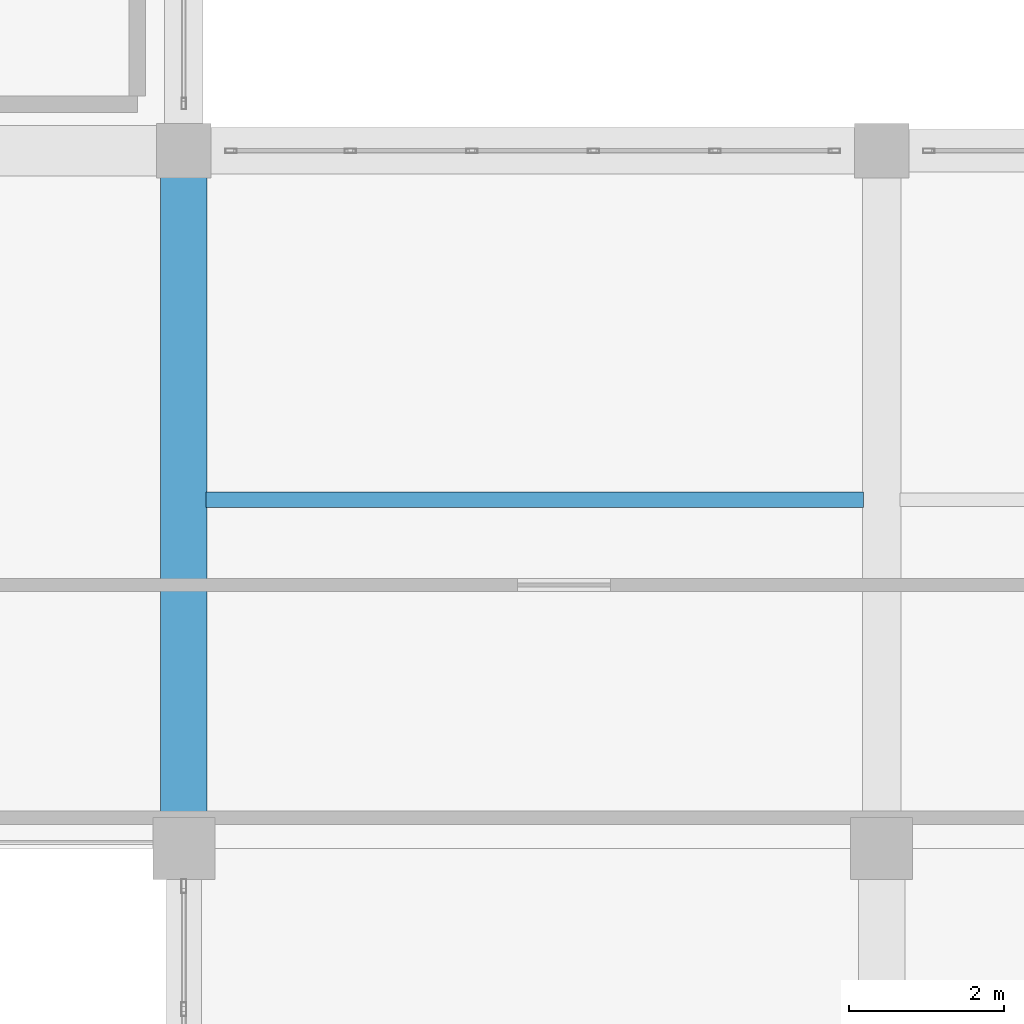
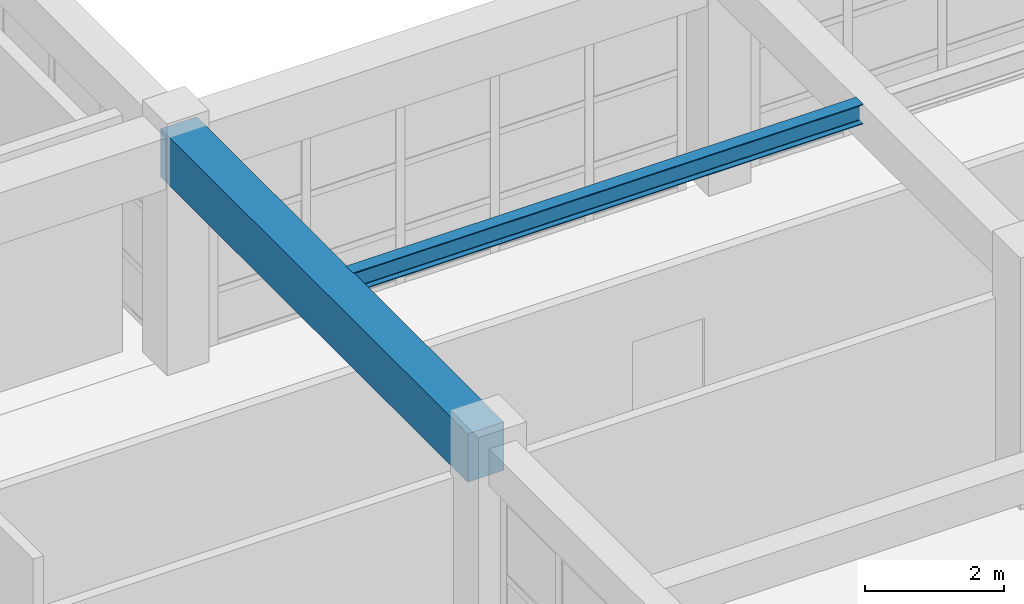
# One storey, part 49 of 133: 2 beams.
"""IFC4 building model written with IfcOpenShell, lengths in metres."""

from ifc_helpers import new_model, si_unit, direction, frame, origin, origin_2d, place, context, subcontext, project, spatial, rectangle, i_section, extrude, material, material_profile, profile_set, type_object, element, save


model = new_model("IFC4")

# Units and contexts
model_context = context("Model", 3, precision=1e-05, world=origin(), true_north=direction((0.0, 1.0)))
body_context = subcontext(model_context, "Body", "Model", "MODEL_VIEW")
ifc_project = project(units=[si_unit("LENGTHUNIT", "METRE"), si_unit("AREAUNIT", "SQUARE_METRE"), si_unit("VOLUMEUNIT", "CUBIC_METRE"), si_unit("PLANEANGLEUNIT", "RADIAN"), si_unit("MASSUNIT", "GRAM", prefix="KILO")], contexts=[model_context])

# Site, building, storey
site_placement = place(None, origin())
site = spatial("IfcSite", under=ifc_project, at=site_placement, CompositionType="ELEMENT")
building_placement = place(site_placement, origin())
building = spatial("IfcBuilding", under=site, at=building_placement, Name="Miravela Opera House", CompositionType="ELEMENT")
storey_placement = place(building_placement, frame((0.0, 0.0, 5.10009765625)))
storey = spatial("IfcBuildingStorey", under=building, at=storey_placement, Name="L01", CompositionType="ELEMENT", Elevation=5.10009765625)

# Beams
ifc_material_1 = material(Name="Concrete C40/50", Category="concrete")
ifc_material_profile_1 = material_profile(ifc_material_1, rectangle(XDim=0.60009765625, YDim=0.85009765625, at=origin_2d()), Name="RC-BM-600X850")
ifc_profile_set_1 = profile_set([ifc_material_profile_1])
beam_type_1 = type_object("IfcBeamType", Name="STR-BM-RC600X850", PredefinedType="BEAM", material=ifc_profile_set_1)
beam_1_placement = place(storey_placement, frame((27.0, 75.080078125, 3.73486328125), z_axis=(0.0, 1.0, 0.0), x_axis=(-1.0, 0.0, 0.0)))
element("IfcBeam", 1, at=beam_1_placement, inside=storey, type_object=beam_type_1, Name="Floor Girder L01 4/I-J", PredefinedType="BEAM", context=body_context, shape_type="SweptSolid", body=[
    extrude(rectangle(XDim=0.60009765625, YDim=0.85009765625, at=origin_2d()), origin(), (0.0, 0.0, 1.0), 8.83984375),
])
ifc_material_2 = material(Name="Structural steel ASTM A992 Gr. 50", Category="steel")
ifc_material_profile_2 = material_profile(ifc_material_2, i_section(OverallWidth=0.2041015625, OverallDepth=0.35009765625, WebThickness=0.008544921875, FlangeThickness=0.01513671875, FilletRadius=0.013916015625, at=origin_2d()), Name="W360X72")
ifc_profile_set_2 = profile_set([ifc_material_profile_2])
beam_type_2 = type_object("IfcBeamType", Name="STR-BM-W360X72", PredefinedType="JOIST", material=ifc_profile_set_2)
beam_2_placement = place(storey_placement, frame((27.284912109375, 79.5, 3.98486328125), z_axis=(1.0, 0.0, 0.0), x_axis=(0.0, 1.0, 0.0)))
element("IfcBeam", 2, at=beam_2_placement, inside=storey, type_object=beam_type_2, Name="Secondary Floor Joist L01 4-5/I-J", PredefinedType="JOIST", context=body_context, shape_type="SweptSolid", body=[
    extrude(i_section(OverallWidth=0.2041015625, OverallDepth=0.35009765625, WebThickness=0.008544921875, FlangeThickness=0.01513671875, FilletRadius=0.013916015625, at=origin_2d()), origin(), (0.0, 0.0, 1.0), 8.47998046875),
])

save(model, "model.ifc")
